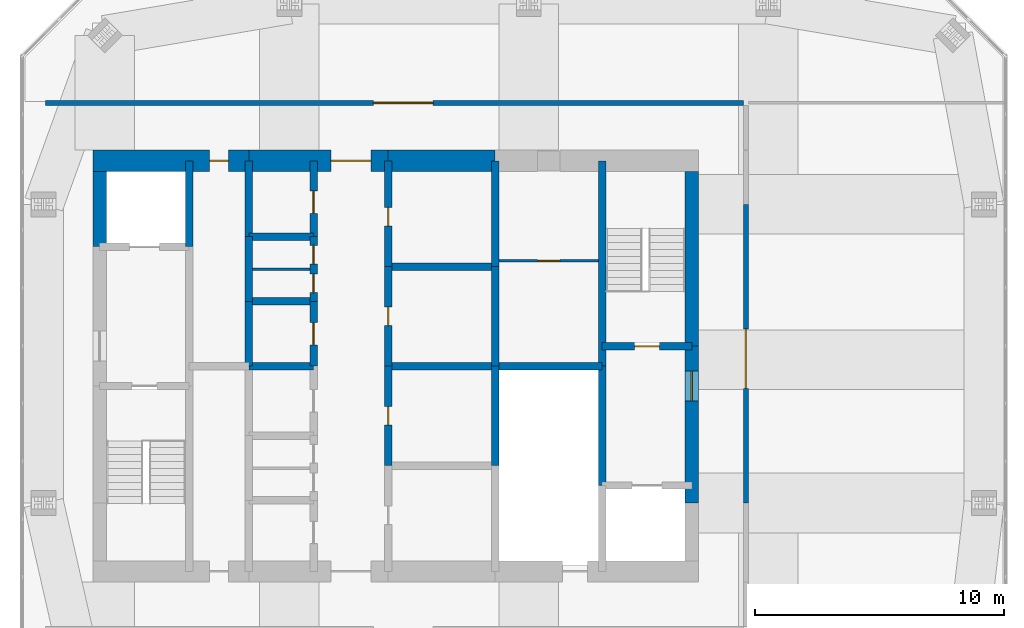
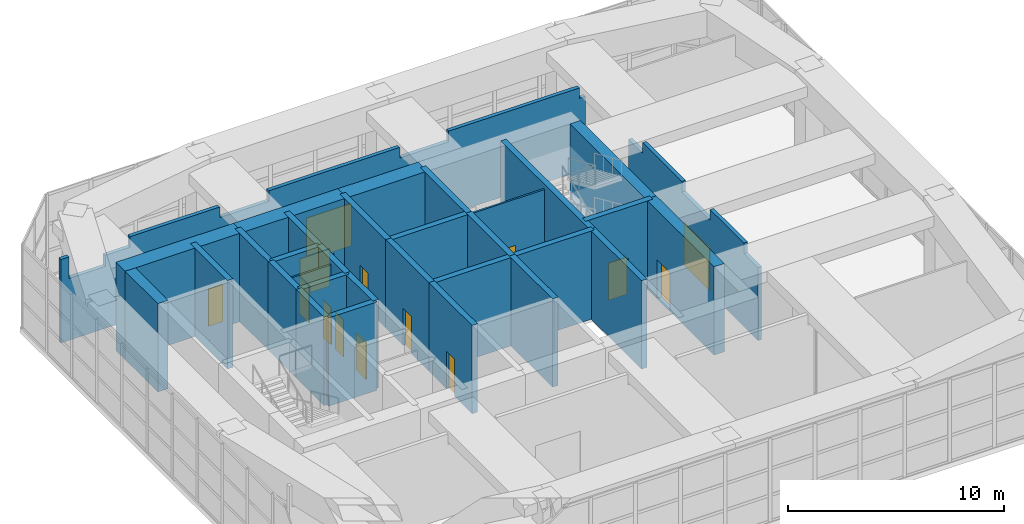
# One storey, part 12 of 14: 32 walls, 14 doors, 14 openings.
"""IFC4 building model written with IfcOpenShell, lengths in metres."""

from ifc_helpers import new_model, si_unit, direction, frame, frame_2d, origin, place, context, subcontext, project, spatial, polyline, rectangle, outline, extrude, material, layer, layer_set, constituent, constituent_set, type_object, element, fill, save


model = new_model("IFC4")

# Units and contexts
model_context = context("Model", 3, precision=1e-05, world=origin(), true_north=direction((0.0, 1.0)))
body_context = subcontext(model_context, "Body", "Model", "MODEL_VIEW")
ifc_project = project(units=[si_unit("LENGTHUNIT", "METRE"), si_unit("AREAUNIT", "SQUARE_METRE"), si_unit("VOLUMEUNIT", "CUBIC_METRE"), si_unit("PLANEANGLEUNIT", "RADIAN"), si_unit("MASSUNIT", "GRAM", prefix="KILO")], contexts=[model_context])

# Site, building, storey
site_placement = place(None, origin())
site = spatial("IfcSite", under=ifc_project, at=site_placement, CompositionType="ELEMENT")
building_placement = place(site_placement, origin())
building = spatial("IfcBuilding", under=site, at=building_placement, Name="Jalousie Tower", CompositionType="ELEMENT")
storey_placement = place(building_placement, frame((0.0, 0.0, 272.75)))
storey = spatial("IfcBuildingStorey", under=building, at=storey_placement, Name="L74", CompositionType="ELEMENT", Elevation=272.75)

# Walls
ifc_material_1 = material(Name="Concrete f'c 120 MPa", Category="concrete")
ifc_layer_1 = layer(ifc_material_1, 0.300048828125)
ifc_layer_set_1 = layer_set([ifc_layer_1], Name="Concrete f'c 120 MPa")
wall_type_1 = type_object("IfcWallType", Name="CORE WALL 300", PredefinedType="SHEAR", material=ifc_layer_set_1)
wall_1_placement = place(storey_placement, frame((23.60009765625, 23.300048828125, 0.0), z_axis=(0.0, 0.0, 1.0), x_axis=(0.0, 1.0, 0.0)))
element("IfcWall", 1, at=wall_1_placement, inside=storey, type_object=wall_type_1, Name="Core wall X23.6C L74", PredefinedType="SHEAR", context=body_context, shape_type="SweptSolid", body=[
    extrude(rectangle(XDim=3.449951171875, YDim=0.300048828125, at=frame_2d((1.72509765625, 0.0))), origin(), (0.0, 0.0, 1.0), 5.0),
])
wall_2_placement = place(storey_placement, frame((26.0, 18.5, 0.0), z_axis=(0.0, 0.0, 1.0), x_axis=(0.0, 1.0, 0.0)))
element("IfcWall", 2, at=wall_2_placement, inside=storey, type_object=wall_type_1, Name="Core wall X26D L74", PredefinedType="SHEAR", context=body_context, shape_type="SweptSolid", body=[
    extrude(rectangle(XDim=2.60009765625, YDim=0.300048828125, at=frame_2d((1.300048828125, 0.0))), origin(), (0.0, 0.0, 1.0), 5.0),
])
wall_3_placement = place(storey_placement, frame((26.0, 21.10009765625, 0.0), z_axis=(0.0, 0.0, 1.0), x_axis=(0.0, 1.0, 0.0)))
element("IfcWall", 3, at=wall_3_placement, inside=storey, type_object=wall_type_1, Name="Core wall X26E L74", PredefinedType="SHEAR", context=body_context, shape_type="SweptSolid", body=[
    extrude(rectangle(XDim=2.599853515625, YDim=0.300048828125, at=frame_2d((1.2998046875, 0.0))), origin(), (0.0, 0.0, 1.0), 5.0),
])
wall_4_placement = place(storey_placement, frame((26.0, 23.699951171875, 0.0), z_axis=(0.0, 0.0, 1.0), x_axis=(0.0, 1.0, 0.0)))
element("IfcWall", 4, at=wall_4_placement, inside=storey, type_object=wall_type_1, Name="Core wall X26F L74", PredefinedType="SHEAR", context=body_context, shape_type="SweptSolid", body=[
    extrude(rectangle(XDim=3.050048828125, YDim=0.300048828125, at=frame_2d((1.52490234375, 0.0))), origin(), (0.0, 0.0, 1.0), 5.0),
])

# Wall, opening, door
wall_5_placement = place(storey_placement, frame((28.60009765625, 18.5, 0.0), z_axis=(0.0, 0.0, 1.0), x_axis=(0.0, 1.0, 0.0)))
wall_5 = element("IfcWall", 5, at=wall_5_placement, inside=storey, type_object=wall_type_1, Name="Core wall X28.6D L74", PredefinedType="SHEAR", context=body_context, shape_type="SweptSolid", body=[
    extrude(rectangle(XDim=2.60009765625, YDim=0.300048828125, at=frame_2d((1.300048828125, 0.0))), origin(), (0.0, 0.0, 1.0), 5.0),
])
opening_1_placement = place(wall_5_placement, frame((0.85009765625, 0.0, 0.0)))
opening_1 = element("IfcOpeningElement", 6, at=opening_1_placement, cuts=wall_5, Name="Opening D24", PredefinedType="OPENING", context=body_context, shape_type="SweptSolid", body=[
    extrude(rectangle(XDim=0.89990234375, YDim=2.10009765625, at=frame_2d((0.449951171875, 1.050048828125))), frame((0.0, 0.159912109375, 0.0), z_axis=(0.0, -1.0, 0.0), x_axis=(1.0, 0.0, 0.0)), (0.0, 0.0, 1.0), 0.320068359375),
])
ifc_material_2 = material(Name="Steel fire door", Category="steel")
door_type_1 = type_object("IfcDoorType", Name="CORE ROOM DOOR 900", OperationType="SINGLE_SWING_LEFT", PredefinedType="DOOR", material=ifc_material_2)
door_1_placement = place(opening_1_placement, origin())
door_1 = element("IfcDoor", 7, at=door_1_placement, inside=storey, type_object=door_type_1, Name="Lift control room door", OperationType="SINGLE_SWING_LEFT", OverallHeight=2.10009765625, OverallWidth=0.89990234375, PredefinedType="DOOR", context=body_context, shape_type="SweptSolid", body=[
    extrude(rectangle(XDim=0.89990234375, YDim=2.10009765625, at=frame_2d((0.449951171875, 1.050048828125))), frame((0.0, 0.02490234375, 0.0), z_axis=(0.0, -1.0, 0.0), x_axis=(1.0, 0.0, 0.0)), (0.0, 0.0, 1.0), 0.050048828125),
])
fill(opening_1, door_1)

# Wall, openings, doors
wall_6_placement = place(storey_placement, frame((28.60009765625, 21.10009765625, 0.0), z_axis=(0.0, 0.0, 1.0), x_axis=(0.0, 1.0, 0.0)))
wall_6 = element("IfcWall", 8, at=wall_6_placement, inside=storey, type_object=wall_type_1, Name="Core wall X28.6E L74", PredefinedType="SHEAR", context=body_context, shape_type="SweptSolid", body=[
    extrude(rectangle(XDim=2.599853515625, YDim=0.300048828125, at=frame_2d((1.2998046875, 0.0))), origin(), (0.0, 0.0, 1.0), 5.0),
])
opening_2_placement = place(wall_6_placement, frame((0.35009765625, 0.0, 0.0)))
opening_2 = element("IfcOpeningElement", 9, at=opening_2_placement, cuts=wall_6, Name="Opening D27", PredefinedType="OPENING", context=body_context, shape_type="SweptSolid", body=[
    extrude(rectangle(XDim=0.75, YDim=2.10009765625, at=frame_2d((0.375, 1.050048828125))), frame((0.0, 0.159912109375, 0.0), z_axis=(0.0, -1.0, 0.0), x_axis=(1.0, 0.0, 0.0)), (0.0, 0.0, 1.0), 0.320068359375),
])
opening_3_placement = place(wall_6_placement, frame((1.5, 0.0, 0.0)))
opening_3 = element("IfcOpeningElement", 10, at=opening_3_placement, cuts=wall_6, Name="Opening D27", PredefinedType="OPENING", context=body_context, shape_type="SweptSolid", body=[
    extrude(rectangle(XDim=0.75, YDim=2.10009765625, at=frame_2d((0.375, 1.050048828125))), frame((0.0, 0.159912109375, 0.0), z_axis=(0.0, -1.0, 0.0), x_axis=(1.0, 0.0, 0.0)), (0.0, 0.0, 1.0), 0.320068359375),
])
ifc_material_3 = material(Name="Steel fire door", Category="steel")
door_type_2 = type_object("IfcDoorType", Name="CORE ROOM DOOR 750", OperationType="SINGLE_SWING_LEFT", PredefinedType="DOOR", material=ifc_material_3)
door_2_placement = place(opening_2_placement, origin())
door_2 = element("IfcDoor", 11, at=door_2_placement, inside=storey, type_object=door_type_2, Name="Store door", OperationType="SINGLE_SWING_RIGHT", OverallHeight=2.10009765625, OverallWidth=0.75, PredefinedType="DOOR", context=body_context, shape_type="SweptSolid", body=[
    extrude(rectangle(XDim=0.75, YDim=2.10009765625, at=frame_2d((0.375, 1.050048828125))), frame((0.0, 0.02490234375, 0.0), z_axis=(0.0, -1.0, 0.0), x_axis=(1.0, 0.0, 0.0)), (0.0, 0.0, 1.0), 0.050048828125),
])
fill(opening_2, door_2)
door_3_placement = place(opening_3_placement, origin())
door_3 = element("IfcDoor", 12, at=door_3_placement, inside=storey, type_object=door_type_2, Name="Maintenance store door", OperationType="SINGLE_SWING_LEFT", OverallHeight=2.10009765625, OverallWidth=0.75, PredefinedType="DOOR", context=body_context, shape_type="SweptSolid", body=[
    extrude(rectangle(XDim=0.75, YDim=2.10009765625, at=frame_2d((0.375, 1.050048828125))), frame((0.0, 0.02490234375, 0.0), z_axis=(0.0, -1.0, 0.0), x_axis=(1.0, 0.0, 0.0)), (0.0, 0.0, 1.0), 0.050048828125),
])
fill(opening_3, door_3)

# Wall, opening, door
wall_7_placement = place(storey_placement, frame((28.60009765625, 23.699951171875, 0.0), z_axis=(0.0, 0.0, 1.0), x_axis=(0.0, 1.0, 0.0)))
wall_7 = element("IfcWall", 13, at=wall_7_placement, inside=storey, type_object=wall_type_1, Name="Core wall X28.6F L74", PredefinedType="SHEAR", context=body_context, shape_type="SweptSolid", body=[
    extrude(rectangle(XDim=3.050048828125, YDim=0.300048828125, at=frame_2d((1.52490234375, 0.0))), origin(), (0.0, 0.0, 1.0), 5.0),
])
opening_4_placement = place(wall_7_placement, frame((0.9375, 0.0, 0.0)))
opening_4 = element("IfcOpeningElement", 14, at=opening_4_placement, cuts=wall_7, Name="Opening D24", PredefinedType="OPENING", context=body_context, shape_type="SweptSolid", body=[
    extrude(rectangle(XDim=0.89990234375, YDim=2.10009765625, at=frame_2d((0.449951171875, 1.050048828125))), frame((0.0, 0.159912109375, 0.0), z_axis=(0.0, -1.0, 0.0), x_axis=(1.0, 0.0, 0.0)), (0.0, 0.0, 1.0), 0.320068359375),
])
door_4_placement = place(opening_4_placement, origin())
door_4 = element("IfcDoor", 15, at=door_4_placement, inside=storey, type_object=door_type_1, Name="Plant spares store door", OperationType="SINGLE_SWING_LEFT", OverallHeight=2.10009765625, OverallWidth=0.89990234375, PredefinedType="DOOR", context=body_context, shape_type="SweptSolid", body=[
    extrude(rectangle(XDim=0.89990234375, YDim=2.10009765625, at=frame_2d((0.449951171875, 1.050048828125))), frame((0.0, 0.02490234375, 0.0), z_axis=(0.0, -1.0, 0.0), x_axis=(1.0, 0.0, 0.0)), (0.0, 0.0, 1.0), 0.050048828125),
])
fill(opening_4, door_4)

wall_8_placement = place(storey_placement, frame((31.60009765625, 14.5, 0.0), z_axis=(0.0, 0.0, 1.0), x_axis=(0.0, 1.0, 0.0)))
wall_8 = element("IfcWall", 16, at=wall_8_placement, inside=storey, type_object=wall_type_1, Name="Core wall X31.6B L74", PredefinedType="SHEAR", context=body_context, shape_type="SweptSolid", body=[
    extrude(rectangle(XDim=4.0, YDim=0.300048828125, at=frame_2d((2.0, 0.0))), origin(), (0.0, 0.0, 1.0), 5.0),
])
opening_5_placement = place(wall_8_placement, frame((1.625, 0.0, 0.0)))
opening_5 = element("IfcOpeningElement", 17, at=opening_5_placement, cuts=wall_8, Name="Opening D16", PredefinedType="OPENING", context=body_context, shape_type="SweptSolid", body=[
    extrude(rectangle(XDim=0.75, YDim=2.10009765625, at=frame_2d((0.375, 1.050048828125))), frame((0.0, 0.159912109375, 0.0), z_axis=(0.0, -1.0, 0.0), x_axis=(1.0, 0.0, 0.0)), (0.0, 0.0, 1.0), 0.320068359375),
])
ifc_material_4 = material(Name="Steel fire door", Category="steel")
door_type_3 = type_object("IfcDoorType", Name="RISER DOOR 750", OperationType="SINGLE_SWING_LEFT", PredefinedType="DOOR", material=ifc_material_4)
door_5_placement = place(opening_5_placement, frame((0.75, 0.0, 0.0), z_axis=(0.0, 0.0, 1.0), x_axis=(-1.0, 0.0, 0.0)))
door_5 = element("IfcDoor", 18, at=door_5_placement, inside=storey, type_object=door_type_3, Name="Electrical Room door", OperationType="SINGLE_SWING_RIGHT", OverallHeight=2.10009765625, OverallWidth=0.75, PredefinedType="DOOR", context=body_context, shape_type="SweptSolid", body=[
    extrude(rectangle(XDim=0.75, YDim=2.10009765625, at=frame_2d((0.375, 1.050048828125))), frame((0.0, 0.02490234375, 0.0), z_axis=(0.0, -1.0, 0.0), x_axis=(1.0, 0.0, 0.0)), (0.0, 0.0, 1.0), 0.050048828125),
])
fill(opening_5, door_5)

wall_9_placement = place(storey_placement, frame((31.60009765625, 18.5, 0.0), z_axis=(0.0, 0.0, 1.0), x_axis=(0.0, 1.0, 0.0)))
wall_9 = element("IfcWall", 19, at=wall_9_placement, inside=storey, type_object=wall_type_1, Name="Core wall X31.6C L74", PredefinedType="SHEAR", context=body_context, shape_type="SweptSolid", body=[
    extrude(rectangle(XDim=4.0, YDim=0.300048828125, at=frame_2d((2.0, 0.0))), origin(), (0.0, 0.0, 1.0), 5.0),
])
opening_6_placement = place(wall_9_placement, frame((1.625, 0.0, 0.0)))
opening_6 = element("IfcOpeningElement", 20, at=opening_6_placement, cuts=wall_9, Name="Opening D16", PredefinedType="OPENING", context=body_context, shape_type="SweptSolid", body=[
    extrude(rectangle(XDim=0.75, YDim=2.10009765625, at=frame_2d((0.375, 1.050048828125))), frame((0.0, 0.159912109375, 0.0), z_axis=(0.0, -1.0, 0.0), x_axis=(1.0, 0.0, 0.0)), (0.0, 0.0, 1.0), 0.320068359375),
])
door_6_placement = place(opening_6_placement, frame((0.75, 0.0, 0.0), z_axis=(0.0, 0.0, 1.0), x_axis=(-1.0, 0.0, 0.0)))
door_6 = element("IfcDoor", 21, at=door_6_placement, inside=storey, type_object=door_type_3, Name="Telecom Room door", OperationType="SINGLE_SWING_RIGHT", OverallHeight=2.10009765625, OverallWidth=0.75, PredefinedType="DOOR", context=body_context, shape_type="SweptSolid", body=[
    extrude(rectangle(XDim=0.75, YDim=2.10009765625, at=frame_2d((0.375, 1.050048828125))), frame((0.0, 0.02490234375, 0.0), z_axis=(0.0, -1.0, 0.0), x_axis=(1.0, 0.0, 0.0)), (0.0, 0.0, 1.0), 0.050048828125),
])
fill(opening_6, door_6)

wall_10_placement = place(storey_placement, frame((31.60009765625, 22.5, 0.0), z_axis=(0.0, 0.0, 1.0), x_axis=(0.0, 1.0, 0.0)))
wall_10 = element("IfcWall", 22, at=wall_10_placement, inside=storey, type_object=wall_type_1, Name="Core wall X31.6D L74", PredefinedType="SHEAR", context=body_context, shape_type="SweptSolid", body=[
    extrude(rectangle(XDim=4.25, YDim=0.300048828125, at=frame_2d((2.125, 0.0))), origin(), (0.0, 0.0, 1.0), 5.0),
])
opening_7_placement = place(wall_10_placement, frame((1.625, 0.0, 0.0)))
opening_7 = element("IfcOpeningElement", 23, at=opening_7_placement, cuts=wall_10, Name="Opening D16", PredefinedType="OPENING", context=body_context, shape_type="SweptSolid", body=[
    extrude(rectangle(XDim=0.75, YDim=2.10009765625, at=frame_2d((0.375, 1.050048828125))), frame((0.0, 0.159912109375, 0.0), z_axis=(0.0, -1.0, 0.0), x_axis=(1.0, 0.0, 0.0)), (0.0, 0.0, 1.0), 0.320068359375),
])
door_7_placement = place(opening_7_placement, frame((0.75, 0.0, 0.0), z_axis=(0.0, 0.0, 1.0), x_axis=(-1.0, 0.0, 0.0)))
door_7 = element("IfcDoor", 24, at=door_7_placement, inside=storey, type_object=door_type_3, Name="Water Services Room door", OperationType="SINGLE_SWING_LEFT", OverallHeight=2.10009765625, OverallWidth=0.75, PredefinedType="DOOR", context=body_context, shape_type="SweptSolid", body=[
    extrude(rectangle(XDim=0.75, YDim=2.10009765625, at=frame_2d((0.375, 1.050048828125))), frame((0.0, 0.02490234375, 0.0), z_axis=(0.0, -1.0, 0.0), x_axis=(1.0, 0.0, 0.0)), (0.0, 0.0, 1.0), 0.050048828125),
])
fill(opening_7, door_7)

# Walls
for number, where, z_axis, x_axis, name in (
    (25, (35.89990234375, 14.5, 0.0), (0.0, 0.0, 1.0), (0.0, 1.0, 0.0), "Core wall X35.9B L74"),
    (26, (35.89990234375, 18.5, 0.0), (0.0, 0.0, 1.0), (0.0, 1.0, 0.0), "Core wall X35.9C L74"),
):
    element("IfcWall", number, at=place(storey_placement, frame(where, z_axis=z_axis, x_axis=x_axis)), inside=storey, type_object=wall_type_1, Name=name, PredefinedType="SHEAR", context=body_context, shape_type="SweptSolid", body=[
        extrude(rectangle(XDim=4.0, YDim=0.300048828125, at=frame_2d((2.0, 0.0))), origin(), (0.0, 0.0, 1.0), 5.0),
    ])
wall_11_placement = place(storey_placement, frame((35.89990234375, 22.5, 0.0), z_axis=(0.0, 0.0, 1.0), x_axis=(0.0, 1.0, 0.0)))
element("IfcWall", 27, at=wall_11_placement, inside=storey, type_object=wall_type_1, Name="Core wall X35.9D L74", PredefinedType="SHEAR", context=body_context, shape_type="SweptSolid", body=[
    extrude(rectangle(XDim=4.25, YDim=0.300048828125, at=frame_2d((2.125, 0.0))), origin(), (0.0, 0.0, 1.0), 5.0),
])
wall_12_placement = place(storey_placement, frame((40.199951171875, 13.699951171875, 0.0), z_axis=(0.0, 0.0, 1.0), x_axis=(0.0, 1.0, 0.0)))
element("IfcWall", 28, at=wall_12_placement, inside=storey, type_object=wall_type_1, Name="Core wall X40.2B L74", PredefinedType="SHEAR", context=body_context, shape_type="SweptSolid", body=[
    extrude(rectangle(XDim=4.800048828125, YDim=0.300048828125, at=frame_2d((2.39990234375, 0.0))), origin(), (0.0, 0.0, 1.0), 5.0),
])
wall_13_placement = place(storey_placement, frame((40.199951171875, 18.5, 0.0), z_axis=(0.0, 0.0, 1.0), x_axis=(0.0, 1.0, 0.0)))
element("IfcWall", 29, at=wall_13_placement, inside=storey, type_object=wall_type_1, Name="Core wall X40.2C L74", PredefinedType="SHEAR", context=body_context, shape_type="SweptSolid", body=[
    extrude(rectangle(XDim=8.25, YDim=0.300048828125, at=frame_2d((4.125, 0.0))), origin(), (0.0, 0.0, 1.0), 5.0),
])
for number, where, z_axis, x_axis, name in (
    (30, (26.0, 18.5, 0.0), (0.0, 0.0, 1.0), (1.0, 0.0, 0.0), "Core wall Y26-18.5 L74"),
    (31, (26.0, 21.10009765625, 0.0), (0.0, 0.0, 1.0), (1.0, 0.0, 0.0), "Core wall Y26-21.1 L74"),
    (32, (26.0, 23.699951171875, 0.0), (0.0, 0.0, 1.0), (1.0, 0.0, 0.0), "Core wall Y26-23.7 L74"),
):
    element("IfcWall", number, at=place(storey_placement, frame(where, z_axis=z_axis, x_axis=x_axis)), inside=storey, type_object=wall_type_1, Name=name, PredefinedType="SHEAR", context=body_context, shape_type="SweptSolid", body=[
        extrude(rectangle(XDim=2.60009765625, YDim=0.300048828125, at=frame_2d((1.300048828125, 0.0))), origin(), (0.0, 0.0, 1.0), 5.0),
    ])
for number, where, z_axis, x_axis, name in (
    (33, (31.60009765625, 18.5, 0.0), (0.0, 0.0, 1.0), (1.0, 0.0, 0.0), "Core wall Y31.6-18.5 L74"),
    (34, (31.60009765625, 22.5, 0.0), (0.0, 0.0, 1.0), (1.0, 0.0, 0.0), "Core wall Y31.6-22.5 L74"),
):
    element("IfcWall", number, at=place(storey_placement, frame(where, z_axis=z_axis, x_axis=x_axis)), inside=storey, type_object=wall_type_1, Name=name, PredefinedType="SHEAR", context=body_context, shape_type="SweptSolid", body=[
        extrude(rectangle(XDim=4.2998046875, YDim=0.300048828125, at=frame_2d((2.14990234375, 0.0))), origin(), (0.0, 0.0, 1.0), 5.0),
    ])
wall_14_placement = place(storey_placement, frame((35.89990234375, 18.5, 0.0), z_axis=(0.0, 0.0, 1.0), x_axis=(1.0, 0.0, 0.0)))
element("IfcWall", 35, at=wall_14_placement, inside=storey, type_object=wall_type_1, Name="Core wall Y35.9-18.5 L74", PredefinedType="SHEAR", context=body_context, shape_type="SweptSolid", body=[
    extrude(rectangle(XDim=4.300048828125, YDim=0.300048828125, at=frame_2d((2.14990234375, 0.0))), origin(), (0.0, 0.0, 1.0), 5.0),
])

# Wall, opening, door
wall_15_placement = place(storey_placement, frame((40.199951171875, 19.300048828125, 0.0), z_axis=(0.0, 0.0, 1.0), x_axis=(1.0, 0.0, 0.0)))
wall_15 = element("IfcWall", 36, at=wall_15_placement, inside=storey, type_object=wall_type_1, Name="Core wall Y40.2-19.3 L74", PredefinedType="SHEAR", context=body_context, shape_type="SweptSolid", body=[
    extrude(rectangle(XDim=3.60009765625, YDim=0.300048828125, at=frame_2d((1.800048828125, 0.0))), origin(), (0.0, 0.0, 1.0), 5.0),
])
opening_8_placement = place(wall_15_placement, frame((1.300048828125, 0.0, 0.0)))
opening_8 = element("IfcOpeningElement", 37, at=opening_8_placement, cuts=wall_15, Name="Opening D10", PredefinedType="OPENING", context=body_context, shape_type="SweptSolid", body=[
    extrude(rectangle(XDim=1.0, YDim=2.10009765625, at=frame_2d((0.5, 1.050048828125))), frame((0.0, 0.159912109375, 0.0), z_axis=(0.0, -1.0, 0.0), x_axis=(1.0, 0.0, 0.0)), (0.0, 0.0, 1.0), 0.320068359375),
])
ifc_material_5 = material(Name="Steel fire door", Category="steel")
door_type_4 = type_object("IfcDoorType", Name="STAIR DOOR 1000", OperationType="SINGLE_SWING_LEFT", PredefinedType="DOOR", material=ifc_material_5)
door_8_placement = place(opening_8_placement, origin())
door_8 = element("IfcDoor", 38, at=door_8_placement, inside=storey, type_object=door_type_4, Name="Exit stair B door", OperationType="SINGLE_SWING_RIGHT", OverallHeight=2.10009765625, OverallWidth=1.0, PredefinedType="DOOR", context=body_context, shape_type="SweptSolid", body=[
    extrude(rectangle(XDim=1.0, YDim=2.10009765625, at=frame_2d((0.5, 1.050048828125))), frame((0.0, 0.02490234375, 0.0), z_axis=(0.0, -1.0, 0.0), x_axis=(1.0, 0.0, 0.0)), (0.0, 0.0, 1.0), 0.050048828125),
])
fill(opening_8, door_8)

# Wall
ifc_material_6 = material(Name="Concrete f'c 120 MPa", Category="concrete")
ifc_layer_2 = layer(ifc_material_6, 0.550048828125)
ifc_layer_set_2 = layer_set([ifc_layer_2], Name="Concrete f'c 120 MPa")
wall_type_2 = type_object("IfcWallType", Name="CORE WALL 550", PredefinedType="SHEAR", material=ifc_layer_set_2)
wall_16_placement = place(storey_placement, frame((20.0, 26.324951171875, 0.0), z_axis=(0.0, 0.0, 1.0), x_axis=(0.0, -1.0, 0.0)))
element("IfcWall", 39, at=wall_16_placement, inside=storey, type_object=wall_type_2, Name="Core wall WA L74", PredefinedType="SHEAR", context=body_context, shape_type="SweptSolid", body=[
    extrude(rectangle(XDim=3.02490234375, YDim=0.550048828125, at=frame_2d((1.512451171875, 0.0))), origin(), (0.0, 0.0, 1.0), 5.0),
])

# Wall, opening, door
wall_17_placement = place(storey_placement, frame((43.800048828125, 13.0, 0.0), z_axis=(0.0, 0.0, 1.0), x_axis=(0.0, 1.0, 0.0)))
wall_17 = element("IfcWall", 40, at=wall_17_placement, inside=storey, type_object=wall_type_2, Name="Core wall EB L74", PredefinedType="SHEAR", context=body_context, shape_type="SweptSolid", body=[
    extrude(rectangle(XDim=6.300048828125, YDim=0.550048828125, at=frame_2d((3.14990234375, 0.0))), origin(), (0.0, 0.0, 1.0), 5.0),
])
opening_9_placement = place(wall_17_placement, frame((4.10009765625, 0.0, 0.0)))
opening_9 = element("IfcOpeningElement", 41, at=opening_9_placement, cuts=wall_17, Name="Opening D11", PredefinedType="OPENING", context=body_context, shape_type="SweptSolid", body=[
    extrude(rectangle(XDim=1.199951171875, YDim=2.199951171875, at=frame_2d((0.60009765625, 1.10009765625))), frame((0.0, 0.284912109375, 0.0), z_axis=(0.0, -1.0, 0.0), x_axis=(1.0, 0.0, 0.0)), (0.0, 0.0, 1.0), 0.570068359375),
])
ifc_material_7 = material(Name="Steel fire door", Category="steel")
door_type_5 = type_object("IfcDoorType", Name="FIRE DOOR 1200", OperationType="SINGLE_SWING_LEFT", PredefinedType="DOOR", material=ifc_material_7)
door_9_placement = place(opening_9_placement, origin())
door_9 = element("IfcDoor", 42, at=door_9_placement, inside=storey, type_object=door_type_5, Name="Fire-fighting lobby B door", OperationType="SINGLE_SWING_RIGHT", OverallHeight=2.199951171875, OverallWidth=1.199951171875, PredefinedType="DOOR", context=body_context, shape_type="SweptSolid", body=[
    extrude(rectangle(XDim=1.199951171875, YDim=2.199951171875, at=frame_2d((0.60009765625, 1.10009765625))), frame((0.0, 0.02490234375, 0.0), z_axis=(0.0, -1.0, 0.0), x_axis=(1.0, 0.0, 0.0)), (0.0, 0.0, 1.0), 0.050048828125),
])
fill(opening_9, door_9)

# Walls
wall_18_placement = place(storey_placement, frame((43.800048828125, 19.300048828125, 0.0), z_axis=(0.0, 0.0, 1.0), x_axis=(0.0, 1.0, 0.0)))
element("IfcWall", 43, at=wall_18_placement, inside=storey, type_object=wall_type_2, Name="Core wall EC L74", PredefinedType="SHEAR", context=body_context, shape_type="SweptSolid", body=[
    extrude(rectangle(XDim=7.02490234375, YDim=0.550048828125, at=frame_2d((3.512451171875, 0.0))), origin(), (0.0, 0.0, 1.0), 5.0),
])
ifc_material_8 = material(Name="Concrete f'c 120 MPa", Category="concrete")
ifc_layer_3 = layer(ifc_material_8, 0.85009765625)
ifc_layer_set_3 = layer_set([ifc_layer_3], Name="Concrete f'c 120 MPa")
wall_type_3 = type_object("IfcWallType", Name="CORE WALL 850", PredefinedType="SHEAR", material=ifc_layer_set_3)
wall_19_placement = place(storey_placement, frame((35.89990234375, 26.75, 0.0), z_axis=(0.0, 0.0, 1.0), x_axis=(-1.0, 0.0, 0.0)))
element("IfcWall", 44, at=wall_19_placement, inside=storey, type_object=wall_type_3, Name="Core wall NB L74", PredefinedType="SHEAR", context=body_context, shape_type="SweptSolid", body=[
    extrude(rectangle(XDim=4.2998046875, YDim=0.85009765625, at=frame_2d((2.14990234375, 0.0))), origin(), (0.0, 0.0, 1.0), 5.0),
])

# Wall, opening, door
wall_20_placement = place(storey_placement, frame((31.60009765625, 26.75, 0.0), z_axis=(0.0, 0.0, 1.0), x_axis=(-1.0, 0.0, 0.0)))
wall_20 = element("IfcWall", 45, at=wall_20_placement, inside=storey, type_object=wall_type_3, Name="Core wall NC L74", PredefinedType="SHEAR", context=body_context, shape_type="SweptSolid", body=[
    extrude(rectangle(XDim=5.60009765625, YDim=0.85009765625, at=frame_2d((2.800048828125, 0.0))), origin(), (0.0, 0.0, 1.0), 5.0),
])
opening_10_placement = place(wall_20_placement, frame((0.699951171875, 0.0, 0.0)))
opening_10 = element("IfcOpeningElement", 46, at=opening_10_placement, cuts=wall_20, Name="Opening D15", PredefinedType="OPENING", context=body_context, shape_type="SweptSolid", body=[
    extrude(rectangle(XDim=1.60009765625, YDim=2.10009765625, at=frame_2d((0.800048828125, 1.050048828125))), frame((0.0, 0.43505859375, 0.0), z_axis=(0.0, -1.0, 0.0), x_axis=(1.0, 0.0, 0.0)), (0.0, 0.0, 1.0), 0.8701171875),
])
ifc_material_9 = material(Name="Steel fire door", Category="steel")
door_type_6 = type_object("IfcDoorType", Name="LIFT LOBBY DOOR 1600", OperationType="DOUBLE_DOOR_SINGLE_SWING", PredefinedType="DOOR", material=ifc_material_9)
door_10_placement = place(opening_10_placement, origin())
door_10 = element("IfcDoor", 47, at=door_10_placement, inside=storey, type_object=door_type_6, Name="Lift lobby north door", OperationType="DOUBLE_DOOR_SINGLE_SWING", OverallHeight=2.10009765625, OverallWidth=1.60009765625, PredefinedType="DOOR", context=body_context, shape_type="SweptSolid", body=[
    extrude(rectangle(XDim=1.60009765625, YDim=2.10009765625, at=frame_2d((0.800048828125, 1.050048828125))), frame((0.0, 0.02490234375, 0.0), z_axis=(0.0, -1.0, 0.0), x_axis=(1.0, 0.0, 0.0)), (0.0, 0.0, 1.0), 0.050048828125),
])
fill(opening_10, door_10)

wall_21_placement = place(storey_placement, frame((26.0, 26.75, 0.0), z_axis=(0.0, 0.0, 1.0), x_axis=(-1.0, 0.0, 0.0)))
wall_21 = element("IfcWall", 48, at=wall_21_placement, inside=storey, type_object=wall_type_3, Name="Core wall ND L74", PredefinedType="SHEAR", context=body_context, shape_type="SweptSolid", body=[
    extrude(rectangle(XDim=6.27490234375, YDim=0.85009765625, at=frame_2d((3.137451171875, 0.0))), origin(), (0.0, 0.0, 1.0), 5.0),
])
opening_11_placement = place(wall_21_placement, frame((0.824951171875, 0.0, 0.0)))
opening_11 = element("IfcOpeningElement", 49, at=opening_11_placement, cuts=wall_21, Name="Opening D16", PredefinedType="OPENING", context=body_context, shape_type="SweptSolid", body=[
    extrude(rectangle(XDim=0.75, YDim=2.10009765625, at=frame_2d((0.375, 1.050048828125))), frame((0.0, 0.43505859375, 0.0), z_axis=(0.0, -1.0, 0.0), x_axis=(1.0, 0.0, 0.0)), (0.0, 0.0, 1.0), 0.8701171875),
])
door_11_placement = place(opening_11_placement, origin())
door_11 = element("IfcDoor", 50, at=door_11_placement, inside=storey, type_object=door_type_3, Name="North riser door", OperationType="SINGLE_SWING_RIGHT", OverallHeight=2.10009765625, OverallWidth=0.75, PredefinedType="DOOR", context=body_context, shape_type="SweptSolid", body=[
    extrude(rectangle(XDim=0.75, YDim=2.10009765625, at=frame_2d((0.375, 1.050048828125))), frame((0.0, 0.02490234375, 0.0), z_axis=(0.0, -1.0, 0.0), x_axis=(1.0, 0.0, 0.0)), (0.0, 0.0, 1.0), 0.050048828125),
])
fill(opening_11, door_11)

ifc_material_10 = material(Name="Concrete block ASTM C90", Category="concrete")
ifc_constituent_1 = constituent(ifc_material_10, Name="Body")
ifc_material_11 = material(Name="Render")
ifc_constituent_2 = constituent(ifc_material_11, Name="Finish")
ifc_constituent_set_1 = constituent_set(constituents=[ifc_constituent_1, ifc_constituent_2])
wall_type_4 = type_object("IfcWallType", Name="CORRIDOR WALL 200", PredefinedType="PARTITIONING", material=ifc_constituent_set_1)
wall_22_placement = place(storey_placement, frame((17.824951171875, 29.074951171875, 0.0), z_axis=(0.0, 0.0, 1.0), x_axis=(1.0, 0.0, 0.0)))
wall_22 = element("IfcWall", 51, at=wall_22_placement, inside=storey, type_object=wall_type_4, Name="Corridor Wall 200 L74", PredefinedType="PARTITIONING", context=body_context, shape_type="SweptSolid", body=[
    extrude(outline(polyline([(0.0, 0.0), (28.050048828125, 0.0), (28.050048828125, 4.719970703125), (28.050048828125, 4.1201171875), (27.739990234375, 4.1201171875), (27.739990234375, 4.719970703125), (20.735107421875, 4.719970703125), (20.735107421875, 4.1201171875), (18.114990234375, 4.1201171875), (18.114990234375, 4.719970703125), (11.110107421875, 4.719970703125), (11.110107421875, 4.1201171875), (8.489990234375, 4.1201171875), (8.489990234375, 4.719970703125), (3.692138671875, 4.719970703125), (3.692138671875, 4.1201171875), (2.36669921875, 4.1201171875), (2.36669921875, 3.5), (0.431396484375, 3.5), (0.431396484375, 4.719970703125), (0.0, 4.719970703125), (0.0, 0.0)])), frame((0.0, 0.10009765625, 0.0), z_axis=(0.0, -1.0, 0.0), x_axis=(1.0, 0.0, 0.0)), (0.0, 0.0, 1.0), 0.199951171875),
])
opening_12_placement = place(wall_22_placement, frame((13.175048828125, 0.0, 0.0)))
opening_12 = element("IfcOpeningElement", 52, at=opening_12_placement, cuts=wall_22, Name="Opening D9", PredefinedType="OPENING", context=body_context, shape_type="SweptSolid", body=[
    extrude(rectangle(XDim=2.39990234375, YDim=2.39990234375, at=frame_2d((1.199951171875, 1.199951171875))), frame((0.0, 0.10986328125, 0.0), z_axis=(0.0, -1.0, 0.0), x_axis=(1.0, 0.0, 0.0)), (0.0, 0.0, 1.0), 0.219970703125),
])
ifc_material_12 = material(Name="Steel fire door", Category="steel")
door_type_7 = type_object("IfcDoorType", Name="PLANT DOOR 2400", OperationType="DOUBLE_DOOR_SINGLE_SWING", PredefinedType="DOOR", material=ifc_material_12)
door_12_placement = place(opening_12_placement, origin())
door_12 = element("IfcDoor", 53, at=door_12_placement, inside=storey, type_object=door_type_7, Name="Sprinkler tank plant room door", OperationType="DOUBLE_DOOR_SINGLE_SWING", OverallHeight=2.39990234375, OverallWidth=2.39990234375, PredefinedType="DOOR", context=body_context, shape_type="SweptSolid", body=[
    extrude(rectangle(XDim=2.39990234375, YDim=2.39990234375, at=frame_2d((1.199951171875, 1.199951171875))), frame((0.0, 0.02490234375, 0.0), z_axis=(0.0, -1.0, 0.0), x_axis=(1.0, 0.0, 0.0)), (0.0, 0.0, 1.0), 0.050048828125),
])
fill(opening_12, door_12)

wall_23_placement = place(storey_placement, frame((45.97509765625, 13.0, 0.0), z_axis=(0.0, 0.0, 1.0), x_axis=(0.0, 1.0, 0.0)))
wall_23 = element("IfcWall", 54, at=wall_23_placement, inside=storey, type_object=wall_type_4, Name="Corridor Wall 200 L74-B", PredefinedType="PARTITIONING", context=body_context, shape_type="SweptSolid", body=[
    extrude(outline(polyline([(0.0, 0.0), (12.0, 0.0), (12.0, 4.1201171875), (10.68994140625, 4.1201171875), (10.68994140625, 4.719970703125), (7.06005859375, 4.719970703125), (7.06005859375, 4.1201171875), (4.43994140625, 4.1201171875), (4.43994140625, 4.719970703125), (1.31005859375, 4.719970703125), (1.31005859375, 4.1201171875), (0.0, 4.1201171875), (0.0, 0.0)])), frame((0.0, 0.10009765625, 0.0), z_axis=(0.0, -1.0, 0.0), x_axis=(1.0, 0.0, 0.0)), (0.0, 0.0, 1.0), 0.199951171875),
])
opening_13_placement = place(wall_23_placement, frame((4.60009765625, 0.0, 0.0)))
opening_13 = element("IfcOpeningElement", 55, at=opening_13_placement, cuts=wall_23, Name="Opening D9", PredefinedType="OPENING", context=body_context, shape_type="SweptSolid", body=[
    extrude(rectangle(XDim=2.39990234375, YDim=2.39990234375, at=frame_2d((1.199951171875, 1.199951171875))), frame((0.0, 0.10986328125, 0.0), z_axis=(0.0, -1.0, 0.0), x_axis=(1.0, 0.0, 0.0)), (0.0, 0.0, 1.0), 0.219970703125),
])
door_13_placement = place(opening_13_placement, frame((2.39990234375, 0.0, 0.0), z_axis=(0.0, 0.0, 1.0), x_axis=(-1.0, 0.0, 0.0)))
door_13 = element("IfcDoor", 56, at=door_13_placement, inside=storey, type_object=door_type_7, Name="Lift machine plant room door", OperationType="DOUBLE_DOOR_SINGLE_SWING", OverallHeight=2.39990234375, OverallWidth=2.39990234375, PredefinedType="DOOR", context=body_context, shape_type="SweptSolid", body=[
    extrude(rectangle(XDim=2.39990234375, YDim=2.39990234375, at=frame_2d((1.199951171875, 1.199951171875))), frame((0.0, 0.02490234375, 0.0), z_axis=(0.0, -1.0, 0.0), x_axis=(1.0, 0.0, 0.0)), (0.0, 0.0, 1.0), 0.050048828125),
])
fill(opening_13, door_13)

ifc_material_13 = material(Name="Gypsum board", Category="gypsum")
ifc_constituent_3 = constituent(ifc_material_13, Name="Body")
ifc_material_14 = material(Name="Light-gauge steel studs ASTM A653 SS Grade 33", Category="steel")
ifc_constituent_4 = constituent(ifc_material_14, Name="Framing")
ifc_constituent_set_2 = constituent_set(constituents=[ifc_constituent_3, ifc_constituent_4])
wall_type_5 = type_object("IfcWallType", Name="PARTITION 100", PredefinedType="PARTITIONING", material=ifc_constituent_set_2)
wall_24_placement = place(storey_placement, frame((36.050048828125, 22.72509765625, 0.0), z_axis=(0.0, 0.0, 1.0), x_axis=(1.0, 0.0, 0.0)))
wall_24 = element("IfcWall", 57, at=wall_24_placement, inside=storey, type_object=wall_type_5, Name="Partition 100 L74", PredefinedType="PARTITIONING", context=body_context, shape_type="SweptSolid", body=[
    extrude(rectangle(XDim=4.0, YDim=0.10009765625, at=frame_2d((2.0, 0.0))), origin(), (0.0, 0.0, 1.0), 4.719970703125),
])
opening_14_placement = place(wall_24_placement, frame((1.550048828125, 0.0, 0.0)))
opening_14 = element("IfcOpeningElement", 58, at=opening_14_placement, cuts=wall_24, Name="Opening D7", PredefinedType="OPENING", context=body_context, shape_type="SweptSolid", body=[
    extrude(rectangle(XDim=0.89990234375, YDim=2.10009765625, at=frame_2d((0.449951171875, 1.050048828125))), frame((0.0, 0.06005859375, 0.0), z_axis=(0.0, -1.0, 0.0), x_axis=(1.0, 0.0, 0.0)), (0.0, 0.0, 1.0), 0.1201171875),
])
ifc_material_15 = material(Name="Timber door", Category="wood")
door_type_8 = type_object("IfcDoorType", Name="INTERNAL DOOR 900", OperationType="SINGLE_SWING_LEFT", PredefinedType="DOOR", material=ifc_material_15)
door_14_placement = place(opening_14_placement, frame((0.89990234375, 0.0, 0.0), z_axis=(0.0, 0.0, 1.0), x_axis=(-1.0, 0.0, 0.0)))
door_14 = element("IfcDoor", 59, at=door_14_placement, inside=storey, type_object=door_type_8, Name="Linen store door", OperationType="SINGLE_SWING_RIGHT", OverallHeight=2.10009765625, OverallWidth=0.89990234375, PredefinedType="DOOR", context=body_context, shape_type="SweptSolid", body=[
    extrude(rectangle(XDim=0.89990234375, YDim=2.10009765625, at=frame_2d((0.449951171875, 1.050048828125))), frame((0.0, 0.02490234375, 0.0), z_axis=(0.0, -1.0, 0.0), x_axis=(1.0, 0.0, 0.0)), (0.0, 0.0, 1.0), 0.050048828125),
])
fill(opening_14, door_14)

# Wall
wall_25_placement = place(storey_placement, frame((26.14990234375, 22.39990234375, 0.0), z_axis=(0.0, 0.0, 1.0), x_axis=(1.0, 0.0, 0.0)))
element("IfcWall", 60, at=wall_25_placement, inside=storey, type_object=wall_type_5, Name="Partition 100 L74", PredefinedType="PARTITIONING", context=body_context, shape_type="SweptSolid", body=[
    extrude(rectangle(XDim=2.300048828125, YDim=0.10009765625, at=frame_2d((1.14990234375, 0.0))), origin(), (0.0, 0.0, 1.0), 4.719970703125),
])

save(model, "model.ifc")
